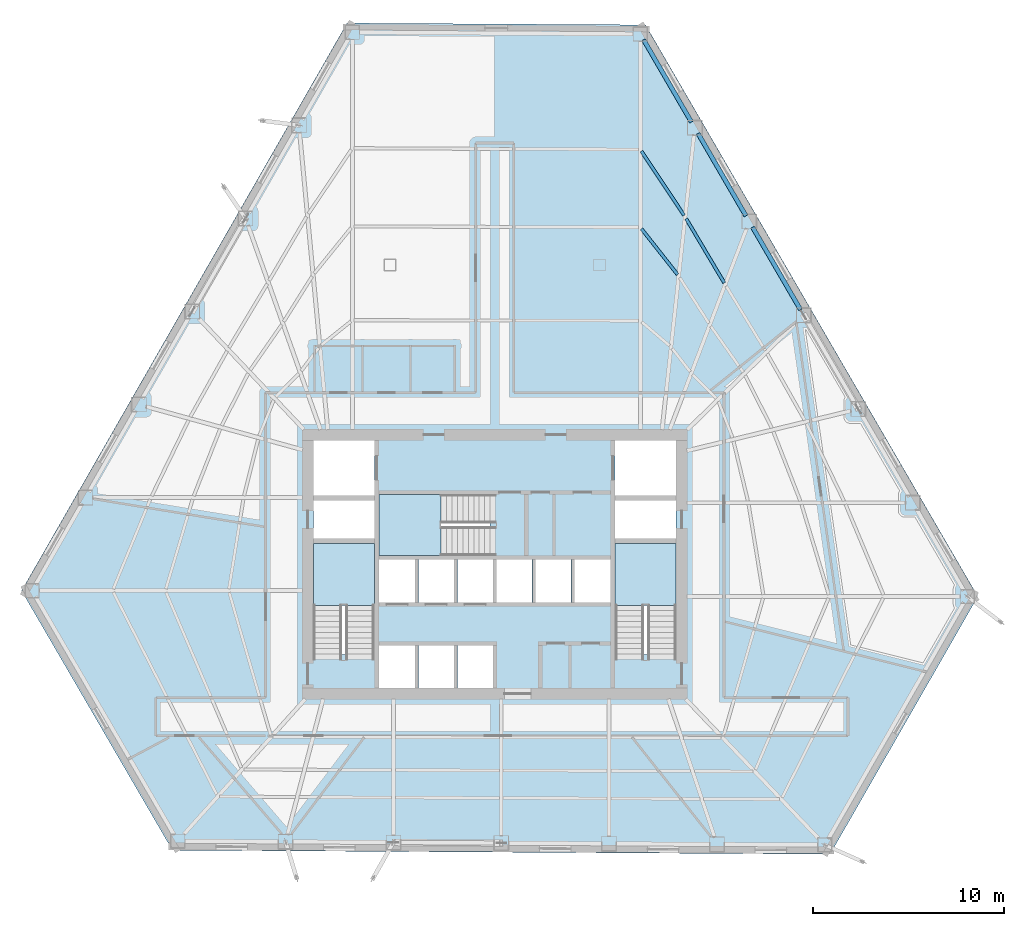
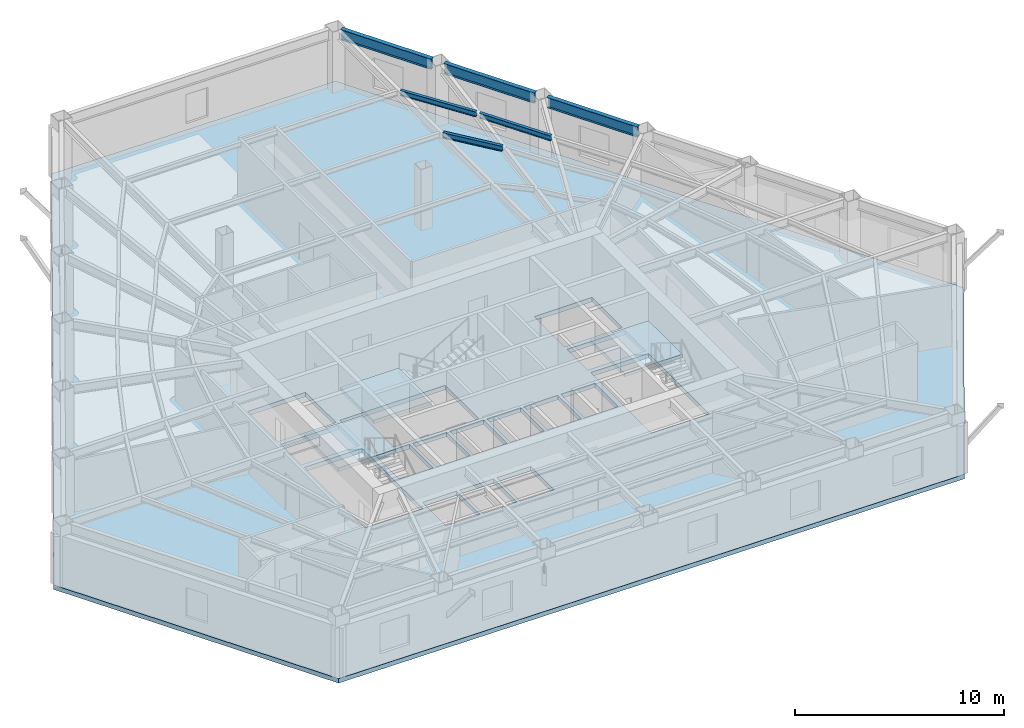
# One storey, part 3 of 12: 6 beams, 4 slabs, 3 elements without a shape of their own.
"""IFC4 building model written with IfcOpenShell, lengths in metres."""

from ifc_helpers import new_model, si_unit, direction, frame, origin, origin_2d, place, context, subcontext, project, spatial, polyline, i_section, outline, extrude, material, layer, layer_set, material_profile, profile_set, type_object, element, aggregate, save


model = new_model("IFC4")

# Units and contexts
model_context = context("Model", 3, precision=1e-05, world=origin(), true_north=direction((0.0, 1.0)))
body_context = subcontext(model_context, "Body", "Model", "MODEL_VIEW")
ifc_project = project(units=[si_unit("LENGTHUNIT", "METRE"), si_unit("AREAUNIT", "SQUARE_METRE"), si_unit("VOLUMEUNIT", "CUBIC_METRE"), si_unit("PLANEANGLEUNIT", "RADIAN"), si_unit("MASSUNIT", "GRAM", prefix="KILO")], contexts=[model_context])

# Site, building, storey
site_placement = place(None, origin())
site = spatial("IfcSite", under=ifc_project, at=site_placement, CompositionType="ELEMENT")
building_placement = place(site_placement, origin())
building = spatial("IfcBuilding", under=site, at=building_placement, Name="Kavelnor Concourse Tower", CompositionType="ELEMENT")
storey_placement = place(building_placement, frame((0.0, 0.0, 44.5)))
storey = spatial("IfcBuildingStorey", under=building, at=storey_placement, Name="L11", CompositionType="ELEMENT", Elevation=44.5)

# Beams
ifc_material_1 = material(Name="Steel Grade 350", Category="steel")
ifc_material_profile_1 = material_profile(ifc_material_1, i_section(OverallWidth=0.166015625, OverallDepth=0.306884765625, WebThickness=0.006591796875, FlangeThickness=0.01171875, at=origin_2d()), Name="310UB46")
ifc_profile_set_1 = profile_set([ifc_material_profile_1], Name="Steel Grade 350")
beam_type_1 = type_object("IfcBeamType", Name="BM-JOIST-310", PredefinedType="JOIST", material=ifc_profile_set_1)
beam_1_placement = place(storey_placement, frame((50.0400390625, 30.861572265625, 3.4365234375), z_axis=(-0.51056320395, 0.859840226305, 0.0), x_axis=(-0.859840226305, -0.51056320395, 0.0)))
element("IfcBeam", 1, at=beam_1_placement, inside=storey, type_object=beam_type_1, Name="L11 Secondary Composite Joist 13-3", PredefinedType="JOIST", context=body_context, shape_type="SweptSolid", body=[
    extrude(i_section(OverallWidth=0.166015625, OverallDepth=0.306884765625, WebThickness=0.006591796875, FlangeThickness=0.01171875, at=origin_2d()), origin(), (0.0, 0.0, 1.0), 3.922119140625),
])
beam_2_placement = place(storey_placement, frame((47.590576171875, 31.29638671875, 3.4365234375), z_axis=(-0.619043802898, 0.785356460528, 0.0), x_axis=(-0.785356460528, -0.619043802898, 0.0)))
element("IfcBeam", 2, at=beam_2_placement, inside=storey, type_object=beam_type_1, Name="L11 Secondary Composite Joist 14-2", PredefinedType="JOIST", context=body_context, shape_type="SweptSolid", body=[
    extrude(i_section(OverallWidth=0.166015625, OverallDepth=0.306884765625, WebThickness=0.006591796875, FlangeThickness=0.01171875, at=origin_2d()), origin(), (0.0, 0.0, 1.0), 3.059326171875),
])
beam_3_placement = place(storey_placement, frame((47.932861328125, 34.400634765625, 3.4365234375), z_axis=(-0.553253888539, 0.833012685868, 0.0), x_axis=(-0.833012685868, -0.553253888539, 0.0)))
element("IfcBeam", 3, at=beam_3_placement, inside=storey, type_object=beam_type_1, Name="L11 Secondary Composite Joist 14-3", PredefinedType="JOIST", context=body_context, shape_type="SweptSolid", body=[
    extrude(i_section(OverallWidth=0.166015625, OverallDepth=0.306884765625, WebThickness=0.006591796875, FlangeThickness=0.01171875, at=origin_2d()), origin(), (0.0, 0.0, 1.0), 4.0537109375),
])
ifc_material_profile_2 = material_profile(ifc_material_1, i_section(OverallWidth=0.22900390625, OverallDepth=0.612060546875, WebThickness=0.011962890625, FlangeThickness=0.01953125, at=origin_2d()), Name="610UB125")
ifc_profile_set_2 = profile_set([ifc_material_profile_2], Name="Steel Grade 350")
beam_type_2 = type_object("IfcBeamType", Name="BM-SPANDREL-Z1", PredefinedType="SPANDREL", material=ifc_profile_set_2)
for number, where, z_axis, x_axis, name in (
    (4, (54.038818359375, 29.461181640625, 3.283935546875), (-0.502579705487, 0.864530878357, 0.0), (-0.864530878357, -0.502579705487, 0.0), "L11 Perimeter Tube Spandrel Beam F2-B3"),
    (5, (51.179931640625, 34.37890625, 3.283935546875), (-0.502579705487, 0.864530878357, 0.0), (-0.864530878357, -0.502579705487, 0.0), "L11 Perimeter Tube Spandrel Beam F2-B4"),
):
    element("IfcBeam", number, at=place(storey_placement, frame(where, z_axis=z_axis, x_axis=x_axis)), inside=storey, type_object=beam_type_2, Name=name, PredefinedType="SPANDREL", context=body_context, shape_type="SweptSolid", body=[
        extrude(i_section(OverallWidth=0.22900390625, OverallDepth=0.612060546875, WebThickness=0.011962890625, FlangeThickness=0.01953125, at=origin_2d()), origin(), (0.0, 0.0, 1.0), 4.998046875),
    ])
beam_4_placement = place(storey_placement, frame((48.3212890625, 39.29638671875, 3.283935546875), z_axis=(-0.502594989276, 0.864521993216, 0.0), x_axis=(-0.864521993216, -0.502594989276, 0.0)))
element("IfcBeam", 6, at=beam_4_placement, inside=storey, type_object=beam_type_2, Name="L11 Perimeter Tube Spandrel Beam F2-B5", PredefinedType="SPANDREL", context=body_context, shape_type="SweptSolid", body=[
    extrude(i_section(OverallWidth=0.22900390625, OverallDepth=0.612060546875, WebThickness=0.011962890625, FlangeThickness=0.01953125, at=origin_2d()), origin(), (0.0, 0.0, 1.0), 4.99853515625),
])

# Stair, slab
ifc_material_2 = material(Name="Concrete C40/50", Category="concrete")
stair_type = type_object("IfcStairType", Name="STR-CORE-1500", PredefinedType="HALF_TURN_STAIR", material=ifc_material_2)
stair_1_placement = place(storey_placement, origin())
stair_1 = element("IfcStair", 7, at=stair_1_placement, inside=storey, type_object=stair_type, Name="L11 ST1", PredefinedType="HALF_TURN_STAIR")
ifc_layer_1 = layer(ifc_material_2, 0.199951171875, Name="Concrete C40/50")
ifc_layer_set_1 = layer_set([ifc_layer_1], Name="Concrete C40/50")
slab_type_1 = type_object("IfcSlabType", Name="SLB-LANDING-200", PredefinedType="LANDING", material=ifc_layer_set_1)
slab_1_placement = place(storey_placement, frame((0.0, 0.0, 1.72509765625)))
slab_1 = element("IfcSlab", 8, at=slab_1_placement, type_object=slab_type_1, Name="ST1 landing 1", PredefinedType="LANDING", context=body_context, shape_type="SweptSolid", body=[
    extrude(outline(polyline([(31.679931640625, 13.949951171875), (31.679931640625, 17.199951171875), (28.47998046875, 17.199951171875), (28.47998046875, 13.949951171875), (31.679931640625, 13.949951171875)])), origin(), (0.0, 0.0, 1.0), 0.199951171875),
])
aggregate(stair_1, [slab_1])

stair_2_placement = place(storey_placement, origin())
stair_2 = element("IfcStair", 9, at=stair_2_placement, inside=storey, type_object=stair_type, Name="L11 ST2", PredefinedType="HALF_TURN_STAIR")
slab_2_placement = place(storey_placement, frame((0.0, 0.0, 1.72509765625)))
slab_2 = element("IfcSlab", 10, at=slab_2_placement, type_object=slab_type_1, Name="ST2 landing 1", PredefinedType="LANDING", context=body_context, shape_type="SweptSolid", body=[
    extrude(outline(polyline([(47.52001953125, 13.949951171875), (47.52001953125, 17.199951171875), (44.320068359375, 17.199951171875), (44.320068359375, 13.949951171875), (47.52001953125, 13.949951171875)])), origin(), (0.0, 0.0, 1.0), 0.199951171875),
])
aggregate(stair_2, [slab_2])

stair_3_placement = place(storey_placement, origin())
stair_3 = element("IfcStair", 11, at=stair_3_placement, inside=storey, type_object=stair_type, Name="L11 ST3", PredefinedType="HALF_TURN_STAIR")
slab_3_placement = place(storey_placement, frame((0.0, 0.0, 1.72509765625)))
slab_3 = element("IfcSlab", 12, at=slab_3_placement, type_object=slab_type_1, Name="ST3 landing 1", PredefinedType="LANDING", context=body_context, shape_type="SweptSolid", body=[
    extrude(outline(polyline([(35.18994140625, 19.760009765625), (31.93994140625, 19.760009765625), (31.93994140625, 16.56005859375), (35.18994140625, 16.56005859375), (35.18994140625, 19.760009765625)])), origin(), (0.0, 0.0, 1.0), 0.199951171875),
])
aggregate(stair_3, [slab_3])

# Slab
ifc_layer_2 = layer(ifc_material_2, 0.260009765625, Name="Concrete C40/50")
ifc_layer_set_2 = layer_set([ifc_layer_2], Name="Concrete C40/50")
slab_type_2 = type_object("IfcSlabType", Name="SLB-OFFICE-260", PredefinedType="FLOOR", material=ifc_layer_set_2)
slab_4_placement = place(storey_placement, frame((0.0, 0.0, -0.260009765625)))
element("IfcSlab", 13, at=slab_4_placement, inside=storey, type_object=slab_type_2, Name="L11 Composite Structural Floor Slab", PredefinedType="FLOOR", context=body_context, shape_type="SweptSolid", body=[
    extrude(outline(polyline([(45.912841796875, 44.394287109375), (30.24951171875, 44.488037109375), (13.177734375, 14.7119140625), (21.090576171875, 1.100341796875), (55.59228515625, 0.893798828125), (63.3427734375, 14.41162109375), (45.912841796875, 44.394287109375)]), holes=[polyline([(28.47998046875, 11.3798828125), (31.679931640625, 11.3798828125), (31.679931640625, 17.199951171875), (28.47998046875, 17.199951171875), (28.47998046875, 11.3798828125)]), polyline([(44.320068359375, 11.3798828125), (47.52001953125, 11.3798828125), (47.52001953125, 17.199951171875), (44.320068359375, 17.199951171875), (44.320068359375, 11.3798828125)]), polyline([(31.93994140625, 16.56005859375), (37.760009765625, 16.56005859375), (37.760009765625, 19.760009765625), (31.93994140625, 19.760009765625), (31.93994140625, 16.56005859375)]), polyline([(28.47998046875, 19.699951171875), (31.679931640625, 19.699951171875), (31.679931640625, 22.60009765625), (28.47998046875, 22.60009765625), (28.47998046875, 19.699951171875)]), polyline([(44.320068359375, 19.699951171875), (47.52001953125, 19.699951171875), (47.52001953125, 22.60009765625), (44.320068359375, 22.60009765625), (44.320068359375, 19.699951171875)]), polyline([(31.93994140625, 14.10009765625), (33.81005859375, 14.10009765625), (33.81005859375, 16.340087890625), (31.93994140625, 16.340087890625), (31.93994140625, 14.10009765625)]), polyline([(33.989990234375, 14.10009765625), (35.860107421875, 14.10009765625), (35.860107421875, 16.340087890625), (33.989990234375, 16.340087890625), (33.989990234375, 14.10009765625)]), polyline([(36.0400390625, 14.10009765625), (37.909912109375, 14.10009765625), (37.909912109375, 16.340087890625), (36.0400390625, 16.340087890625), (36.0400390625, 14.10009765625)]), polyline([(38.090087890625, 14.10009765625), (39.9599609375, 14.10009765625), (39.9599609375, 16.340087890625), (38.090087890625, 16.340087890625), (38.090087890625, 14.10009765625)]), polyline([(40.139892578125, 14.10009765625), (42.010009765625, 14.10009765625), (42.010009765625, 16.340087890625), (40.139892578125, 16.340087890625), (40.139892578125, 14.10009765625)]), polyline([(42.18994140625, 14.10009765625), (44.06005859375, 14.10009765625), (44.06005859375, 16.340087890625), (42.18994140625, 16.340087890625), (42.18994140625, 14.10009765625)]), polyline([(31.93994140625, 9.60009765625), (33.81005859375, 9.60009765625), (33.81005859375, 11.840087890625), (31.93994140625, 11.840087890625), (31.93994140625, 9.60009765625)]), polyline([(33.989990234375, 9.60009765625), (35.860107421875, 9.60009765625), (35.860107421875, 11.840087890625), (33.989990234375, 11.840087890625), (33.989990234375, 9.60009765625)]), polyline([(36.0400390625, 9.60009765625), (37.909912109375, 9.60009765625), (37.909912109375, 11.840087890625), (36.0400390625, 11.840087890625), (36.0400390625, 9.60009765625)]), polyline([(28.47998046875, 17.4599609375), (31.679931640625, 17.4599609375), (31.679931640625, 19.43994140625), (28.47998046875, 19.43994140625), (28.47998046875, 17.4599609375)]), polyline([(44.320068359375, 17.4599609375), (47.52001953125, 17.4599609375), (47.52001953125, 19.43994140625), (44.320068359375, 19.43994140625), (44.320068359375, 17.4599609375)])]), origin(), (0.0, 0.0, 1.0), 0.260009765625),
])

save(model, "model.ifc")
